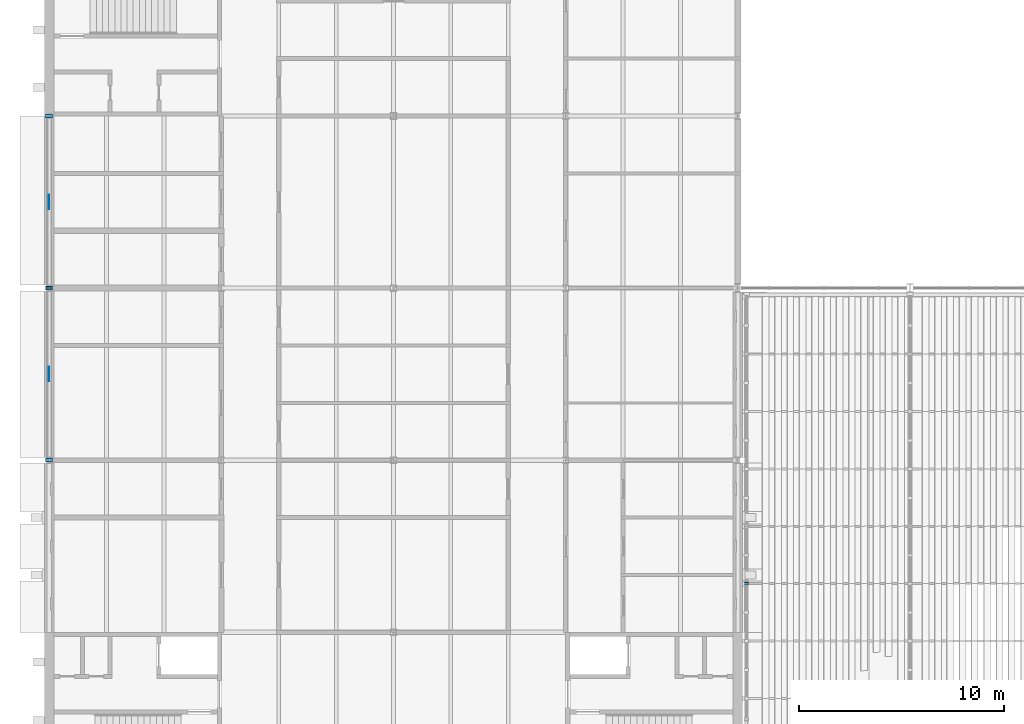
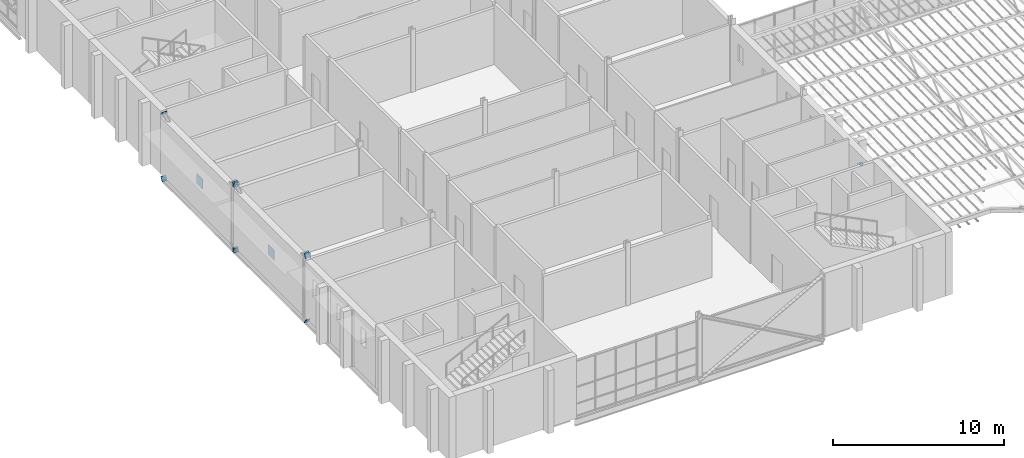
# One storey, part 102 of 129: 11 discrete accessories.
"""IFC4 building model written with IfcOpenShell, lengths in metres."""

import ifcopenshell
import ifcopenshell.guid

model = None  # the IFC model being written
_history = None  # IfcOwnerHistory: only IFC2X3 demands one
_inside = {}  # id of a spatial element -> (the spatial element, [elements in it])
_under = {}  # id of a project, library or spatial element -> (it, [spatial elements below it])
_declared = {}  # id of a project -> (the project, [libraries it declares])
_typed = {}  # id of a type object -> (the type object, [elements of that type])
_made_of = {}  # id of a material, layer set ... -> (it, [elements and type objects made of it])


def new_model(schema):
    """Start an empty IFC model of exactly this schema.

    Asked for "IFC4X3", IfcOpenShell would pick the latest addendum, in which some entities
    have other attributes; the version numbers below select the first issue.
    IFC2X3 requires an IfcOwnerHistory on every rooted entity: one is made here for all.
    """
    global model, _history
    if schema == "IFC4X3":
        model = ifcopenshell.file(schema_version=(4, 3, 0, 0))
    else:
        model = ifcopenshell.file(schema=schema)
    _inside.clear()
    _under.clear()
    _declared.clear()
    _typed.clear()
    _made_of.clear()
    _history = None
    if model.schema == "IFC2X3":
        org = make("IfcOrganization", Name="unknown")
        user = make(
            "IfcPersonAndOrganization",
            ThePerson=make("IfcPerson", FamilyName="unknown"),
            TheOrganization=org,
        )
        app = make(
            "IfcApplication",
            ApplicationDeveloper=org,
            Version="unknown",
            ApplicationFullName="unknown",
            ApplicationIdentifier="unknown",
        )
        _history = make(
            "IfcOwnerHistory",
            OwningUser=user,
            OwningApplication=app,
            ChangeAction="ADDED",
            CreationDate=0,
        )
    return model


def make(cls, **values):
    """One entity of the class cls with the attributes given. An attribute that is None is left unset."""
    return model.create_entity(
        cls, **{name: value for name, value in values.items() if value is not None}
    )


def rooted(cls, **values):
    """An entity with a GlobalId (a new one), such as an element, a storey or a relation."""
    return make(cls, GlobalId=ifcopenshell.guid.new(), OwnerHistory=_history, **values)


def si_unit(unit_type, name, prefix=None):
    """IfcSIUnit, for example si_unit("LENGTHUNIT", "METRE", prefix="MILLI")."""
    return make("IfcSIUnit", UnitType=unit_type, Prefix=prefix, Name=name)


def assignment(units):
    """IfcUnitAssignment: the units of a project."""
    return None if units is None else make("IfcUnitAssignment", Units=units)


def point(xyz):
    """IfcCartesianPoint."""
    return None if xyz is None else make("IfcCartesianPoint", Coordinates=xyz)


def direction(xyz):
    """IfcDirection."""
    return None if xyz is None else make("IfcDirection", DirectionRatios=xyz)


def frame(location, z_axis=None, x_axis=None):
    """IfcAxis2Placement3D, a coordinate frame: its origin and axes. An axis left out is left unset."""
    return make(
        "IfcAxis2Placement3D",
        Location=point(location),
        Axis=direction(z_axis),
        RefDirection=direction(x_axis),
    )


def frame_2d(location, x_axis=None):
    """IfcAxis2Placement2D, a coordinate frame in the plane: its origin and x axis."""
    return make(
        "IfcAxis2Placement2D", Location=point(location), RefDirection=direction(x_axis)
    )


def origin():
    """The frame at (0, 0, 0) with its axes left unset."""
    return frame((0.0, 0.0, 0.0))


def origin_2d():
    """The frame at (0, 0) in the plane with its x axis left unset."""
    return frame_2d((0.0, 0.0))


def place(relative_to, where):
    """IfcLocalPlacement: puts the frame where relative to a parent placement (None: the world)."""
    return make(
        "IfcLocalPlacement", PlacementRelTo=relative_to, RelativePlacement=where
    )


def context(
    kind, dimensions, precision=None, world=None, true_north=None, identifier=None
):
    """IfcGeometricRepresentationContext, for example the 3D "Model" context."""
    return make(
        "IfcGeometricRepresentationContext",
        ContextIdentifier=identifier,
        ContextType=kind,
        CoordinateSpaceDimension=dimensions,
        Precision=precision,
        WorldCoordinateSystem=world,
        TrueNorth=true_north,
    )


def subcontext(parent, identifier, kind, view, scale=None):
    """IfcGeometricRepresentationSubContext, for example "Body" below "Model"."""
    return make(
        "IfcGeometricRepresentationSubContext",
        ContextIdentifier=identifier,
        ContextType=kind,
        ParentContext=parent,
        TargetScale=scale,
        TargetView=view,
    )


def project(units=None, contexts=None):
    """IfcProject with its units and contexts."""
    return rooted(
        "IfcProject",
        Name="project",
        RepresentationContexts=contexts,
        UnitsInContext=assignment(units),
    )


def spatial(cls, under=None, at=None, **own):
    """A site, building, storey or space (cls), placed at a placement, below another one or the project."""
    s = rooted(cls, ObjectPlacement=at, **own)
    if under is not None:
        _under.setdefault(under.id(), (under, []))[1].append(s)
    return s


def profile(cls, at=None, kind="AREA", **sizes):
    """A parametric profile (cls). Its sizes go by their IFC names, for example OverallWidth=200.0."""
    return make(cls, ProfileType=kind, Position=at, **sizes)


def rectangle(**sizes):
    """IfcRectangleProfileDef."""
    return profile("IfcRectangleProfileDef", **sizes)


def extrude(swept, where, along, depth):
    """IfcExtrudedAreaSolid: the profile swept, set in the frame where, extruded along a direction by depth."""
    return make(
        "IfcExtrudedAreaSolid",
        SweptArea=swept,
        Position=where,
        ExtrudedDirection=direction(along),
        Depth=depth,
    )


def shape(context_of_items, identifier, shape_type, items):
    """IfcShapeRepresentation: the items that make up one representation, for example the "Body"."""
    return make(
        "IfcShapeRepresentation",
        ContextOfItems=context_of_items,
        RepresentationIdentifier=identifier,
        RepresentationType=shape_type,
        Items=items,
    )


def material(Name=None, Category=None):
    """IfcMaterial."""
    return make("IfcMaterial", Name=Name, Category=Category)


def material_profile(
    of_material, cross_section, Name=None, Category=None, Priority=None
):
    """IfcMaterialProfile: a cross section and its material."""
    return make(
        "IfcMaterialProfile",
        Name=Name,
        Material=of_material,
        Profile=cross_section,
        Priority=Priority,
        Category=Category,
    )


def profile_set(profiles, Name=None, composite=None):
    """IfcMaterialProfileSet."""
    return make(
        "IfcMaterialProfileSet",
        Name=Name,
        MaterialProfiles=profiles,
        CompositeProfile=composite,
    )


def made_of(thing, what):
    """Note that an element or type object is made of a material, layer set ...; save() writes the relation."""
    if what is not None:
        _made_of.setdefault(what.id(), (what, []))[1].append(thing)
    return thing


def type_object(cls, material=None, **own):
    """A type object (cls), such as IfcWallType, which elements share."""
    return made_of(rooted(cls, **own), material)


def element(
    cls,
    number,
    at=None,
    inside=None,
    cuts=None,
    type_object=None,
    material=None,
    context=None,
    identifier="Body",
    shape_type=None,
    held_by="IfcProductDefinitionShape",
    body=None,
    shapes=None,
    **own,
):
    """One element of the class cls, such as IfcWall. Its Tag is "e" and its number.

    at: its placement. inside: the storey or other place that contains it. cuts: it is an
    opening in that element (IfcRelVoidsElement). A single representation is given by context,
    identifier, shape_type and body (its items); several are given by shapes. held_by: the class
    of the entity that holds the representations. save() writes the other relations.
    """
    e = rooted(cls, Tag="e%d" % number, ObjectPlacement=at, **own)
    if body is not None:
        shapes = [shape(context, identifier, shape_type, body)]
    if shapes is not None:
        e.Representation = make(held_by, Representations=shapes)
    if inside is not None:
        _inside.setdefault(inside.id(), (inside, []))[1].append(e)
    if cuts is not None:
        rooted(
            "IfcRelVoidsElement", RelatingBuildingElement=cuts, RelatedOpeningElement=e
        )
    if type_object is not None:
        _typed.setdefault(type_object.id(), (type_object, []))[1].append(e)
    return made_of(e, material)


def aggregate(whole, parts):
    """IfcRelAggregates: a whole, such as a stair, and the parts it consists of."""
    return rooted("IfcRelAggregates", RelatingObject=whole, RelatedObjects=parts)


def save(model, path):
    """Write the relations noted so far, then the file.

    IfcRelAggregates (storeys below a building ...), IfcRelContainedInSpatialStructure (elements
    in a storey), IfcRelDefinesByType, IfcRelAssociatesMaterial and IfcRelDeclares: one each for
    every whole, place, type object, material and project.
    """
    for whole, parts in _under.values():
        aggregate(whole, parts)
    for where, things in _inside.values():
        rooted(
            "IfcRelContainedInSpatialStructure",
            RelatedElements=things,
            RelatingStructure=where,
        )
    for kind, things in _typed.values():
        rooted("IfcRelDefinesByType", RelatedObjects=things, RelatingType=kind)
    for what, things in _made_of.values():
        rooted("IfcRelAssociatesMaterial", RelatedObjects=things, RelatingMaterial=what)
    for by, libraries in _declared.values():
        rooted("IfcRelDeclares", RelatingContext=by, RelatedDefinitions=libraries)
    model.write(path)


model = new_model("IFC4")

# Units and contexts
model_context = context("Model", 3, precision=1e-05, world=origin(), true_north=direction((0.0, 1.0)))
body_context = subcontext(model_context, "Body", "Model", "MODEL_VIEW")
ifc_project = project(units=[si_unit("LENGTHUNIT", "METRE"), si_unit("AREAUNIT", "SQUARE_METRE"), si_unit("VOLUMEUNIT", "CUBIC_METRE"), si_unit("PLANEANGLEUNIT", "RADIAN"), si_unit("MASSUNIT", "GRAM", prefix="KILO")], contexts=[model_context])

# Site, building, storey
site_placement = place(None, origin())
site = spatial("IfcSite", under=ifc_project, at=site_placement, CompositionType="ELEMENT")
building_placement = place(site_placement, origin())
building = spatial("IfcBuilding", under=site, at=building_placement, Name="Ardhachandra Cancer Care Centre", CompositionType="ELEMENT")
storey_placement = place(building_placement, frame((0.0, 0.0, 4.5)))
storey = spatial("IfcBuildingStorey", under=building, at=storey_placement, Name="L01", CompositionType="ELEMENT", Elevation=4.5)

# Discrete accessories
ifc_material_1 = material(Name="Steel E250 (IS 2062)", Category="steel")
ifc_material_profile_1 = material_profile(ifc_material_1, rectangle(XDim=0.344482421875, YDim=0.344482421875, at=origin_2d()), Name="PL 344x344x20")
ifc_profile_set_1 = profile_set([ifc_material_profile_1], Name="Steel E250 (IS 2062)")
discrete_accessory_type_1 = type_object("IfcDiscreteAccessoryType", Name="Brace end plate 344 x 344 x 20", PredefinedType="BRACKET", material=ifc_profile_set_1)
for number, where, z_axis, x_axis, name in (
    (1, (10.800048828125, 46.199951171875, -0.39990234375), (0.0, 0.874157276122, 0.485642931179), (-1.0, 0.0, 0.0), "Brace end plate V2-Y108-462 L01 A0"),
    (2, (10.800048828125, 54.60009765625, 4.300048828125), (0.0, -0.874157276122, -0.485642931179), (1.0, 0.0, 0.0), "Brace end plate V2-Y108-462 L01 A1"),
    (3, (10.800048828125, 54.60009765625, -0.39990234375), (0.0, -0.874157276122, 0.485642931179), (1.0, 0.0, 0.0), "Brace end plate V2-Y108-462 L01 B10"),
    (4, (10.800048828125, 46.199951171875, 4.300048828125), (0.0, 0.874157276122, -0.485642931179), (-1.0, 0.0, 0.0), "Brace end plate V2-Y108-462 L01 B21"),
):
    element("IfcDiscreteAccessory", number, at=place(storey_placement, frame(where, z_axis=z_axis, x_axis=x_axis)), inside=storey, type_object=discrete_accessory_type_1, Name=name, PredefinedType="BRACKET", context=body_context, shape_type="SweptSolid", body=[
        extrude(rectangle(XDim=0.344482421875, YDim=0.344482421875, at=origin_2d()), origin(), (0.0, 0.0, 1.0), 0.02001953125),
    ])
for number, where, z_axis, x_axis, name in (
    (5, (10.800048828125, 54.60009765625, -0.39990234375), (0.0, 0.871247627745, 0.490843733941), (-1.0, 0.0, 0.0), "Brace end plate V2-Y108-546 L01 A0"),
    (6, (10.800048828125, 63.0, 4.300048828125), (0.0, -0.871247627745, -0.490843733941), (1.0, 0.0, 0.0), "Brace end plate V2-Y108-546 L01 A1"),
    (7, (10.800048828125, 63.0, -0.39990234375), (0.0, -0.871247627745, 0.490843733941), (1.0, 0.0, 0.0), "Brace end plate V2-Y108-546 L01 B10"),
    (8, (10.800048828125, 54.60009765625, 4.300048828125), (0.0, 0.871247627745, -0.490843733941), (-1.0, 0.0, 0.0), "Brace end plate V2-Y108-546 L01 B21"),
):
    element("IfcDiscreteAccessory", number, at=place(storey_placement, frame(where, z_axis=z_axis, x_axis=x_axis)), inside=storey, type_object=discrete_accessory_type_1, Name=name, PredefinedType="BRACKET", context=body_context, shape_type="SweptSolid", body=[
        extrude(rectangle(XDim=0.344482421875, YDim=0.344482421875, at=origin_2d()), origin(), (0.0, 0.0, 1.0), 0.019775390625),
    ])
ifc_material_2 = material(Name="Steel E250 (IS 2062)", Category="steel")
ifc_material_profile_2 = material_profile(ifc_material_2, rectangle(XDim=0.699951171875, YDim=0.699951171875, at=origin_2d()), Name="PL 700x700x20")
ifc_profile_set_2 = profile_set([ifc_material_profile_2], Name="Steel E250 (IS 2062)")
discrete_accessory_type_2 = type_object("IfcDiscreteAccessoryType", Name="Brace node plate 700 x 700 x 20", PredefinedType="BRACKET", material=ifc_profile_set_2)
for number, where, z_axis, x_axis, name in (
    (9, (10.7900390625, 50.39990234375, 1.949951171875), (1.0, 0.0, 0.0), (0.0, 1.0, 0.0), "Brace node plate V2-Y108-462 L01"),
    (10, (10.7900390625, 58.800048828125, 1.949951171875), (1.0, 0.0, 0.0), (0.0, 1.0, 0.0), "Brace node plate V2-Y108-546 L01"),
):
    element("IfcDiscreteAccessory", number, at=place(storey_placement, frame(where, z_axis=z_axis, x_axis=x_axis)), inside=storey, type_object=discrete_accessory_type_2, Name=name, PredefinedType="BRACKET", context=body_context, shape_type="SweptSolid", body=[
        extrude(rectangle(XDim=0.699951171875, YDim=0.699951171875, at=origin_2d()), origin(), (0.0, 0.0, 1.0), 0.02001953125),
    ])
ifc_material_3 = material(Name="Steel E250 (IS 2062)", Category="steel")
ifc_material_profile_3 = material_profile(ifc_material_3, rectangle(XDim=0.21435546875, YDim=0.21435546875, at=origin_2d()), Name="PL 214x214x12")
ifc_profile_set_3 = profile_set([ifc_material_profile_3], Name="Steel E250 (IS 2062)")
discrete_accessory_type_3 = type_object("IfcDiscreteAccessoryType", Name="Diagonal end plate 214 x 214 x 12", PredefinedType="BRACKET", material=ifc_profile_set_3)
discrete_accessory_placement = place(storey_placement, frame((44.81494140625, 40.175048828125, 2.573486328125), z_axis=(0.0, 0.756363172452, -0.654151932932), x_axis=(-1.0, 0.0, 0.0)))
element("IfcDiscreteAccessory", 11, at=discrete_accessory_placement, inside=storey, type_object=discrete_accessory_type_3, Name="Diagonal end plate Canopy truss 1 web diagonal WD27 2", PredefinedType="BRACKET", context=body_context, shape_type="SweptSolid", body=[
    extrude(rectangle(XDim=0.21435546875, YDim=0.21435546875, at=origin_2d()), origin(), (0.0, 0.0, 1.0), 0.011962890625),
])

save(model, "model.ifc")
